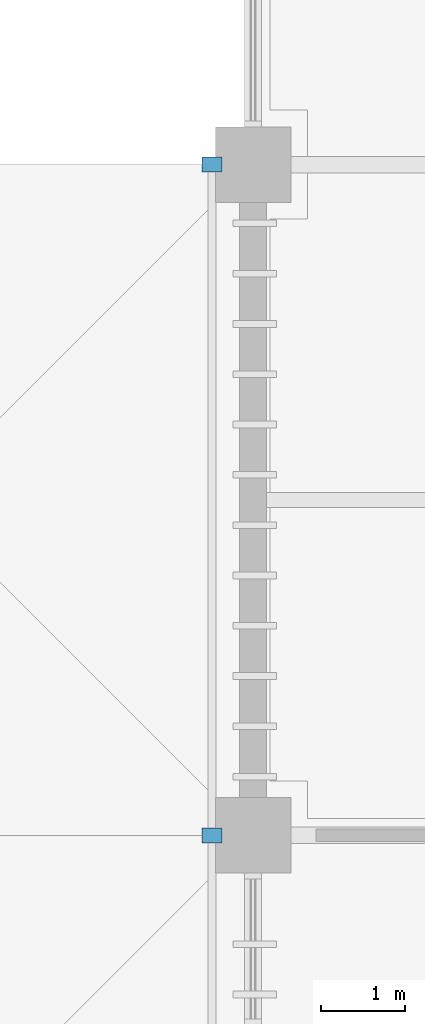
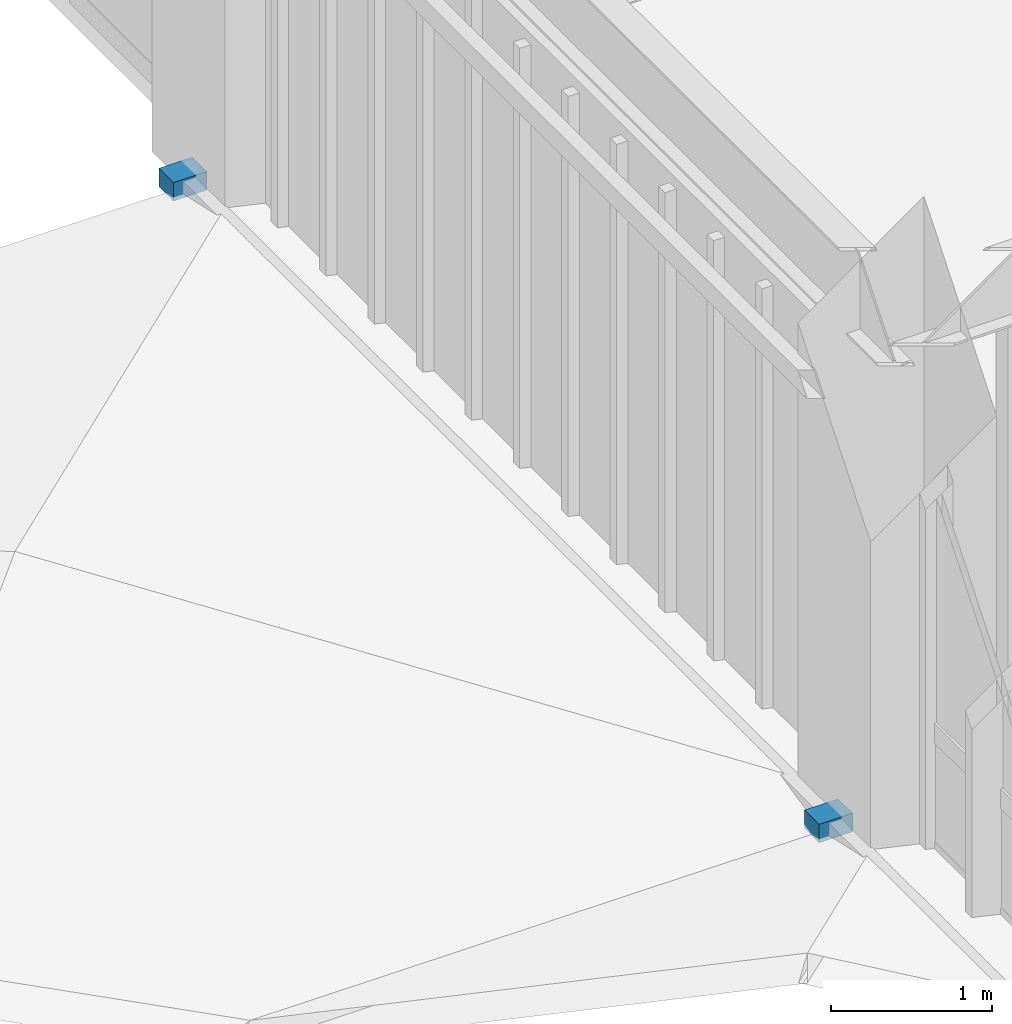
# One storey, part 104 of 118: 2 discrete accessories.
"""IFC4 building model written with IfcOpenShell, lengths in metres."""

from ifc_helpers import new_model, si_unit, direction, frame, origin, origin_2d, place, context, subcontext, project, spatial, rectangle, extrude, material, layer, layer_set, type_object, element, save


model = new_model("IFC4")

# Units and contexts
model_context = context("Model", 3, precision=1e-05, world=origin(), true_north=direction((0.0, 1.0)))
body_context = subcontext(model_context, "Body", "Model", "MODEL_VIEW")
ifc_project = project(units=[si_unit("LENGTHUNIT", "METRE"), si_unit("AREAUNIT", "SQUARE_METRE"), si_unit("VOLUMEUNIT", "CUBIC_METRE"), si_unit("PLANEANGLEUNIT", "RADIAN"), si_unit("MASSUNIT", "GRAM", prefix="KILO")], contexts=[model_context])

# Site, building, storey
site_placement = place(None, origin())
site = spatial("IfcSite", under=ifc_project, at=site_placement, CompositionType="ELEMENT")
building_placement = place(site_placement, origin())
building = spatial("IfcBuilding", under=site, at=building_placement, Name="Haebicheon Civic Stadium", CompositionType="ELEMENT")
storey_placement = place(building_placement, frame((0.0, 0.0, 14.39990234375)))
storey = spatial("IfcBuildingStorey", under=building, at=storey_placement, Name="L04", CompositionType="ELEMENT", Elevation=14.39990234375)

# Discrete accessories
ifc_material = material(Name="Stainless steel 316", Category="steel")
ifc_layer = layer(ifc_material, 0.139892578125, Name="Stainless steel 316")
ifc_layer_set = layer_set([ifc_layer], Name="Stainless steel 316")
discrete_accessory_type = type_object("IfcDiscreteAccessoryType", Name="BRK-LVR-CLEAT", PredefinedType="BRACKET", material=ifc_layer_set)
for number, where, z_axis, x_axis, name in (
    (1, (23.510009765625, 128.0, 0.01025390625), (0.0, 0.0, 1.0), (1.0, 0.0, 0.0), "SCR-WEST L04 stainless bracket cleat 10B"),
    (2, (23.510009765625, 136.0, 0.01025390625), (0.0, 0.0, 1.0), (1.0, 0.0, 0.0), "SCR-WEST L04 stainless bracket cleat 11B"),
):
    element("IfcDiscreteAccessory", number, at=place(storey_placement, frame(where, z_axis=z_axis, x_axis=x_axis)), inside=storey, type_object=discrete_accessory_type, material=ifc_layer_set, Name=name, PredefinedType="BRACKET", context=body_context, shape_type="SweptSolid", body=[
        extrude(rectangle(XDim=0.239990234375, YDim=0.179931640625, at=origin_2d()), origin(), (0.0, 0.0, 1.0), 0.139892578125),
    ])

save(model, "model.ifc")
